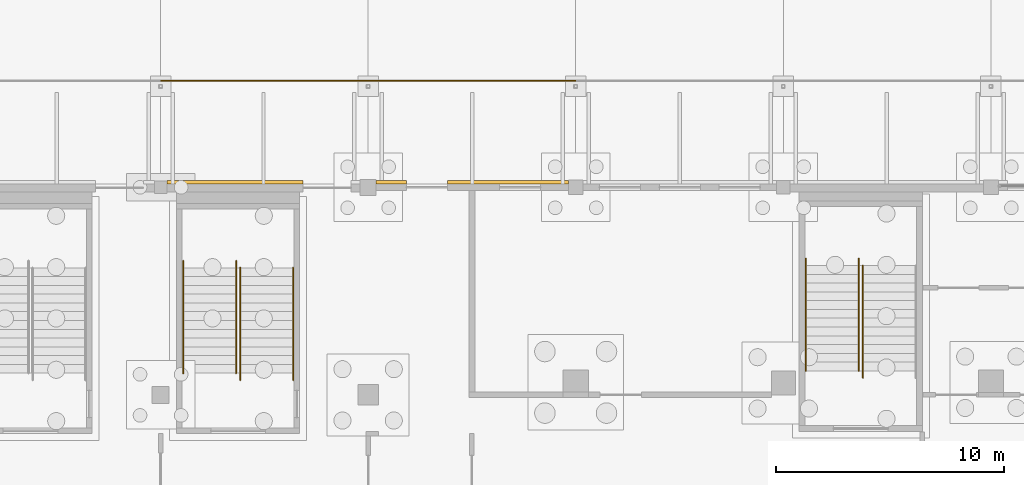
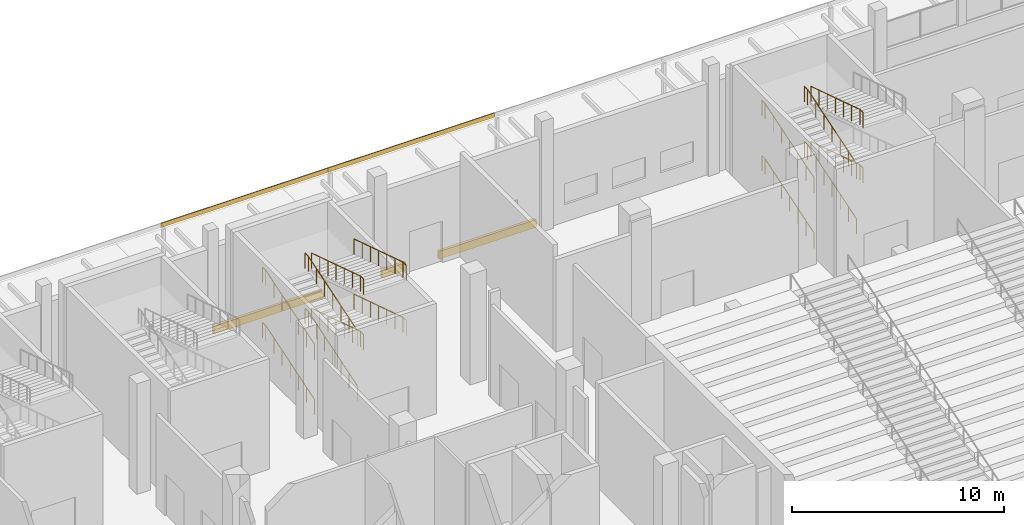
# One storey, part 112 of 129: 14 railings, 5 coverings.
"""IFC4 building model written with IfcOpenShell, lengths in metres."""

from ifc_helpers import new_model, si_unit, direction, frame, origin, origin_2d, place, context, subcontext, project, spatial, rectangle, circle, extrude, material, layer, layer_set, type_object, element, save


model = new_model("IFC4")

# Units and contexts
model_context = context("Model", 3, precision=1e-05, world=origin(), true_north=direction((0.0, 1.0)))
body_context = subcontext(model_context, "Body", "Model", "MODEL_VIEW")
ifc_project = project(units=[si_unit("LENGTHUNIT", "METRE"), si_unit("AREAUNIT", "SQUARE_METRE"), si_unit("VOLUMEUNIT", "CUBIC_METRE"), si_unit("PLANEANGLEUNIT", "RADIAN"), si_unit("MASSUNIT", "GRAM", prefix="KILO")], contexts=[model_context])

# Site, building, storey
site_placement = place(None, origin())
site = spatial("IfcSite", under=ifc_project, at=site_placement, CompositionType="ELEMENT")
building_placement = place(site_placement, origin())
building = spatial("IfcBuilding", under=site, at=building_placement, Name="Shirokan Park Arena", CompositionType="ELEMENT")
storey_placement = place(building_placement, origin())
storey = spatial("IfcBuildingStorey", under=building, at=storey_placement, Name="L00", CompositionType="ELEMENT", Elevation=0.0)

# Coverings
ifc_material_1 = material(Name="Timber fascia (cedar)", Category="wood")
ifc_layer_1 = layer(ifc_material_1, 0.050048828125)
ifc_layer_set_1 = layer_set([ifc_layer_1], Name="Timber fascia (cedar) 50 mm")
covering_type_1 = type_object("IfcCoveringType", Name="Canopy fascia 50x250", PredefinedType="CLADDING", material=ifc_layer_set_1)
for number, where, z_axis, x_axis, name in (
    (1, (40.949951171875, 113.875, 3.5), (0.0, 0.0, 1.0), (-1.0, 0.0, 0.0), "Canopy fascia north bay 12"),
    (2, (31.85009765625, 113.875, 3.5), (0.0, 0.0, 1.0), (-1.0, 0.0, 0.0), "Canopy fascia north bay 13"),
):
    element("IfcCovering", number, at=place(storey_placement, frame(where, z_axis=z_axis, x_axis=x_axis)), inside=storey, type_object=covering_type_1, Name=name, PredefinedType="CLADDING", context=body_context, shape_type="SweptSolid", body=[
        extrude(rectangle(XDim=9.10009765625, YDim=0.050048828125, at=origin_2d()), origin(), (0.0, 0.0, 1.0), 0.25),
    ])

# Railings
ifc_material_2 = material(Name="Stainless steel", Category="steel")
railing_type = type_object("IfcRailingType", Name="Stair handrail 900", PredefinedType="HANDRAIL", material=ifc_material_2)
railing_1_placement = place(storey_placement, frame((28.2900390625, 101.050048828125, 0.12255859375)))
element("IfcRailing", 3, at=railing_1_placement, inside=storey, type_object=railing_type, Name="Handrail Exit Stair 4.D L00 to L01", PredefinedType="HANDRAIL", context=body_context, shape_type="SweptSolid", body=[
    extrude(circle(Radius=0.02392578125, at=origin_2d()), frame((0.0, 0.0, 0.8759765625), z_axis=(0.0, 0.952929747917, 0.303191186441), x_axis=(-1.0, 0.0, 0.0)), (0.0, 0.0, 1.0), 1.6162109375),
    extrude(circle(Radius=0.02392578125, at=origin_2d()), frame((0.0, 1.5400390625, 1.36572265625), z_axis=(0.0, 0.952915858112, 0.303234838629), x_axis=(-1.0, 0.0, 0.0)), (0.0, 0.0, 1.0), 1.615966796875),
    extrude(circle(Radius=0.02392578125, at=origin_2d()), frame((0.0, 3.079833984375, 1.85595703125), z_axis=(0.0, 0.952929747917, 0.303191186441), x_axis=(-1.0, 0.0, 0.0)), (0.0, 0.0, 1.0), 1.6162109375),
    extrude(circle(Radius=0.02392578125, at=origin_2d()), frame((0.0, 4.619873046875, 2.345703125), z_axis=(0.0, 1.0, 0.0), x_axis=(-1.0, 0.0, 0.0)), (0.0, 0.0, 1.0), 0.300048828125),
    extrude(circle(Radius=0.02099609375, at=origin_2d()), origin(), (0.0, 0.0, 1.0), 0.851806640625),
    extrude(circle(Radius=0.02099609375, at=origin_2d()), frame((0.0, 0.77001953125, 0.2451171875)), (0.0, 0.0, 1.0), 0.851806640625),
    extrude(circle(Radius=0.02099609375, at=origin_2d()), frame((0.0, 1.5400390625, 0.489990234375)), (0.0, 0.0, 1.0), 0.851806640625),
    extrude(circle(Radius=0.02099609375, at=origin_2d()), frame((0.0, 2.31005859375, 0.73486328125)), (0.0, 0.0, 1.0), 0.851806640625),
    extrude(circle(Radius=0.02099609375, at=origin_2d()), frame((0.0, 3.079833984375, 0.97998046875)), (0.0, 0.0, 1.0), 0.851806640625),
    extrude(circle(Radius=0.02099609375, at=origin_2d()), frame((0.0, 3.849853515625, 1.22509765625)), (0.0, 0.0, 1.0), 0.851806640625),
    extrude(circle(Radius=0.02099609375, at=origin_2d()), frame((0.0, 4.619873046875, 1.469970703125)), (0.0, 0.0, 1.0), 0.851806640625),
    extrude(circle(Radius=0.02099609375, at=origin_2d()), frame((0.0, 4.919921875, 1.469970703125)), (0.0, 0.0, 1.0), 0.851806640625),
])
railing_2_placement = place(storey_placement, frame((30.610107421875, 101.050048828125, 0.12255859375)))
element("IfcRailing", 4, at=railing_2_placement, inside=storey, type_object=railing_type, Name="Handrail Exit Stair 4.D L00 to L01", PredefinedType="HANDRAIL", context=body_context, shape_type="SweptSolid", body=[
    extrude(circle(Radius=0.02392578125, at=origin_2d()), frame((0.0, 0.0, 0.8759765625), z_axis=(0.0, 0.952929747917, 0.303191186441), x_axis=(-1.0, 0.0, 0.0)), (0.0, 0.0, 1.0), 1.6162109375),
    extrude(circle(Radius=0.02392578125, at=origin_2d()), frame((0.0, 1.5400390625, 1.36572265625), z_axis=(0.0, 0.952915858112, 0.303234838629), x_axis=(-1.0, 0.0, 0.0)), (0.0, 0.0, 1.0), 1.615966796875),
    extrude(circle(Radius=0.02392578125, at=origin_2d()), frame((0.0, 3.079833984375, 1.85595703125), z_axis=(0.0, 0.952929747917, 0.303191186441), x_axis=(-1.0, 0.0, 0.0)), (0.0, 0.0, 1.0), 1.6162109375),
    extrude(circle(Radius=0.02392578125, at=origin_2d()), frame((0.0, 4.619873046875, 2.345703125), z_axis=(0.0, 1.0, 0.0), x_axis=(-1.0, 0.0, 0.0)), (0.0, 0.0, 1.0), 0.300048828125),
    extrude(circle(Radius=0.02099609375, at=origin_2d()), origin(), (0.0, 0.0, 1.0), 0.851806640625),
    extrude(circle(Radius=0.02099609375, at=origin_2d()), frame((0.0, 0.77001953125, 0.2451171875)), (0.0, 0.0, 1.0), 0.851806640625),
    extrude(circle(Radius=0.02099609375, at=origin_2d()), frame((0.0, 1.5400390625, 0.489990234375)), (0.0, 0.0, 1.0), 0.851806640625),
    extrude(circle(Radius=0.02099609375, at=origin_2d()), frame((0.0, 2.31005859375, 0.73486328125)), (0.0, 0.0, 1.0), 0.851806640625),
    extrude(circle(Radius=0.02099609375, at=origin_2d()), frame((0.0, 3.079833984375, 0.97998046875)), (0.0, 0.0, 1.0), 0.851806640625),
    extrude(circle(Radius=0.02099609375, at=origin_2d()), frame((0.0, 3.849853515625, 1.22509765625)), (0.0, 0.0, 1.0), 0.851806640625),
    extrude(circle(Radius=0.02099609375, at=origin_2d()), frame((0.0, 4.619873046875, 1.469970703125)), (0.0, 0.0, 1.0), 0.851806640625),
    extrude(circle(Radius=0.02099609375, at=origin_2d()), frame((0.0, 4.919921875, 1.469970703125)), (0.0, 0.0, 1.0), 0.851806640625),
])
railing_3_placement = place(storey_placement, frame((30.7900390625, 105.669921875, 1.715087890625)))
element("IfcRailing", 5, at=railing_3_placement, inside=storey, type_object=railing_type, Name="Handrail Exit Stair 4.D L00 to L01", PredefinedType="HANDRAIL", context=body_context, shape_type="SweptSolid", body=[
    extrude(circle(Radius=0.02392578125, at=origin_2d()), frame((0.0, 0.0, 0.8759765625), z_axis=(0.0, -0.952929747917, 0.303191186441), x_axis=(1.0, 0.0, 0.0)), (0.0, 0.0, 1.0), 1.6162109375),
    extrude(circle(Radius=0.02392578125, at=origin_2d()), frame((0.0, -1.5400390625, 1.36572265625), z_axis=(0.0, -0.952915858112, 0.303234838629), x_axis=(1.0, 0.0, 0.0)), (0.0, 0.0, 1.0), 1.615966796875),
    extrude(circle(Radius=0.02392578125, at=origin_2d()), frame((0.0, -3.079833984375, 1.85595703125), z_axis=(0.0, -0.952929747917, 0.303191186441), x_axis=(1.0, 0.0, 0.0)), (0.0, 0.0, 1.0), 1.6162109375),
    extrude(circle(Radius=0.02392578125, at=origin_2d()), frame((0.0, -4.619873046875, 2.345703125), z_axis=(0.0, -1.0, 0.0), x_axis=(1.0, 0.0, 0.0)), (0.0, 0.0, 1.0), 0.300048828125),
    extrude(circle(Radius=0.02099609375, at=origin_2d()), origin(), (0.0, 0.0, 1.0), 0.851806640625),
    extrude(circle(Radius=0.02099609375, at=origin_2d()), frame((0.0, -0.77001953125, 0.2451171875)), (0.0, 0.0, 1.0), 0.851806640625),
    extrude(circle(Radius=0.02099609375, at=origin_2d()), frame((0.0, -1.5400390625, 0.489990234375)), (0.0, 0.0, 1.0), 0.851806640625),
    extrude(circle(Radius=0.02099609375, at=origin_2d()), frame((0.0, -2.31005859375, 0.73486328125)), (0.0, 0.0, 1.0), 0.851806640625),
    extrude(circle(Radius=0.02099609375, at=origin_2d()), frame((0.0, -3.079833984375, 0.97998046875)), (0.0, 0.0, 1.0), 0.851806640625),
    extrude(circle(Radius=0.02099609375, at=origin_2d()), frame((0.0, -3.849853515625, 1.22509765625)), (0.0, 0.0, 1.0), 0.851806640625),
    extrude(circle(Radius=0.02099609375, at=origin_2d()), frame((0.0, -4.619873046875, 1.469970703125)), (0.0, 0.0, 1.0), 0.851806640625),
    extrude(circle(Radius=0.02099609375, at=origin_2d()), frame((0.0, -4.919921875, 1.469970703125)), (0.0, 0.0, 1.0), 0.851806640625),
])
railing_4_placement = place(storey_placement, frame((33.110107421875, 105.669921875, 1.715087890625)))
element("IfcRailing", 6, at=railing_4_placement, inside=storey, type_object=railing_type, Name="Handrail Exit Stair 4.D L00 to L01", PredefinedType="HANDRAIL", context=body_context, shape_type="SweptSolid", body=[
    extrude(circle(Radius=0.02392578125, at=origin_2d()), frame((0.0, 0.0, 0.8759765625), z_axis=(0.0, -0.952929747917, 0.303191186441), x_axis=(1.0, 0.0, 0.0)), (0.0, 0.0, 1.0), 1.6162109375),
    extrude(circle(Radius=0.02392578125, at=origin_2d()), frame((0.0, -1.5400390625, 1.36572265625), z_axis=(0.0, -0.952915858112, 0.303234838629), x_axis=(1.0, 0.0, 0.0)), (0.0, 0.0, 1.0), 1.615966796875),
    extrude(circle(Radius=0.02392578125, at=origin_2d()), frame((0.0, -3.079833984375, 1.85595703125), z_axis=(0.0, -0.952929747917, 0.303191186441), x_axis=(1.0, 0.0, 0.0)), (0.0, 0.0, 1.0), 1.6162109375),
    extrude(circle(Radius=0.02392578125, at=origin_2d()), frame((0.0, -4.619873046875, 2.345703125), z_axis=(0.0, -1.0, 0.0), x_axis=(1.0, 0.0, 0.0)), (0.0, 0.0, 1.0), 0.300048828125),
    extrude(circle(Radius=0.02099609375, at=origin_2d()), origin(), (0.0, 0.0, 1.0), 0.851806640625),
    extrude(circle(Radius=0.02099609375, at=origin_2d()), frame((0.0, -0.77001953125, 0.2451171875)), (0.0, 0.0, 1.0), 0.851806640625),
    extrude(circle(Radius=0.02099609375, at=origin_2d()), frame((0.0, -1.5400390625, 0.489990234375)), (0.0, 0.0, 1.0), 0.851806640625),
    extrude(circle(Radius=0.02099609375, at=origin_2d()), frame((0.0, -2.31005859375, 0.73486328125)), (0.0, 0.0, 1.0), 0.851806640625),
    extrude(circle(Radius=0.02099609375, at=origin_2d()), frame((0.0, -3.079833984375, 0.97998046875)), (0.0, 0.0, 1.0), 0.851806640625),
    extrude(circle(Radius=0.02099609375, at=origin_2d()), frame((0.0, -3.849853515625, 1.22509765625)), (0.0, 0.0, 1.0), 0.851806640625),
    extrude(circle(Radius=0.02099609375, at=origin_2d()), frame((0.0, -4.619873046875, 1.469970703125)), (0.0, 0.0, 1.0), 0.851806640625),
    extrude(circle(Radius=0.02099609375, at=origin_2d()), frame((0.0, -4.919921875, 1.469970703125)), (0.0, 0.0, 1.0), 0.851806640625),
])
railing_5_placement = place(storey_placement, frame((28.2900390625, 101.050048828125, 3.3076171875)))
element("IfcRailing", 7, at=railing_5_placement, inside=storey, type_object=railing_type, Name="Handrail Exit Stair 4.D L00 to L01", PredefinedType="HANDRAIL", context=body_context, shape_type="SweptSolid", body=[
    extrude(circle(Radius=0.02392578125, at=origin_2d()), frame((0.0, 0.0, 0.8759765625), z_axis=(0.0, 0.952929747917, 0.303191186441), x_axis=(-1.0, 0.0, 0.0)), (0.0, 0.0, 1.0), 1.6162109375),
    extrude(circle(Radius=0.02392578125, at=origin_2d()), frame((0.0, 1.5400390625, 1.36572265625), z_axis=(0.0, 0.952915858112, 0.303234838629), x_axis=(-1.0, 0.0, 0.0)), (0.0, 0.0, 1.0), 1.615966796875),
    extrude(circle(Radius=0.02392578125, at=origin_2d()), frame((0.0, 3.079833984375, 1.85595703125), z_axis=(0.0, 0.952929747917, 0.303191186441), x_axis=(-1.0, 0.0, 0.0)), (0.0, 0.0, 1.0), 1.6162109375),
    extrude(circle(Radius=0.02392578125, at=origin_2d()), frame((0.0, 4.619873046875, 2.345703125), z_axis=(0.0, 1.0, 0.0), x_axis=(-1.0, 0.0, 0.0)), (0.0, 0.0, 1.0), 0.300048828125),
    extrude(circle(Radius=0.02099609375, at=origin_2d()), origin(), (0.0, 0.0, 1.0), 0.851806640625),
    extrude(circle(Radius=0.02099609375, at=origin_2d()), frame((0.0, 0.77001953125, 0.2451171875)), (0.0, 0.0, 1.0), 0.851806640625),
    extrude(circle(Radius=0.02099609375, at=origin_2d()), frame((0.0, 1.5400390625, 0.489990234375)), (0.0, 0.0, 1.0), 0.851806640625),
    extrude(circle(Radius=0.02099609375, at=origin_2d()), frame((0.0, 2.31005859375, 0.73486328125)), (0.0, 0.0, 1.0), 0.851806640625),
    extrude(circle(Radius=0.02099609375, at=origin_2d()), frame((0.0, 3.079833984375, 0.97998046875)), (0.0, 0.0, 1.0), 0.851806640625),
    extrude(circle(Radius=0.02099609375, at=origin_2d()), frame((0.0, 3.849853515625, 1.22509765625)), (0.0, 0.0, 1.0), 0.851806640625),
    extrude(circle(Radius=0.02099609375, at=origin_2d()), frame((0.0, 4.619873046875, 1.469970703125)), (0.0, 0.0, 1.0), 0.851806640625),
    extrude(circle(Radius=0.02099609375, at=origin_2d()), frame((0.0, 4.919921875, 1.469970703125)), (0.0, 0.0, 1.0), 0.851806640625),
])
railing_6_placement = place(storey_placement, frame((30.610107421875, 101.050048828125, 3.3076171875)))
element("IfcRailing", 8, at=railing_6_placement, inside=storey, type_object=railing_type, Name="Handrail Exit Stair 4.D L00 to L01", PredefinedType="HANDRAIL", context=body_context, shape_type="SweptSolid", body=[
    extrude(circle(Radius=0.02392578125, at=origin_2d()), frame((0.0, 0.0, 0.8759765625), z_axis=(0.0, 0.952929747917, 0.303191186441), x_axis=(-1.0, 0.0, 0.0)), (0.0, 0.0, 1.0), 1.6162109375),
    extrude(circle(Radius=0.02392578125, at=origin_2d()), frame((0.0, 1.5400390625, 1.36572265625), z_axis=(0.0, 0.952915858112, 0.303234838629), x_axis=(-1.0, 0.0, 0.0)), (0.0, 0.0, 1.0), 1.615966796875),
    extrude(circle(Radius=0.02392578125, at=origin_2d()), frame((0.0, 3.079833984375, 1.85595703125), z_axis=(0.0, 0.952929747917, 0.303191186441), x_axis=(-1.0, 0.0, 0.0)), (0.0, 0.0, 1.0), 1.6162109375),
    extrude(circle(Radius=0.02392578125, at=origin_2d()), frame((0.0, 4.619873046875, 2.345703125), z_axis=(0.0, 1.0, 0.0), x_axis=(-1.0, 0.0, 0.0)), (0.0, 0.0, 1.0), 0.300048828125),
    extrude(circle(Radius=0.02099609375, at=origin_2d()), origin(), (0.0, 0.0, 1.0), 0.851806640625),
    extrude(circle(Radius=0.02099609375, at=origin_2d()), frame((0.0, 0.77001953125, 0.2451171875)), (0.0, 0.0, 1.0), 0.851806640625),
    extrude(circle(Radius=0.02099609375, at=origin_2d()), frame((0.0, 1.5400390625, 0.489990234375)), (0.0, 0.0, 1.0), 0.851806640625),
    extrude(circle(Radius=0.02099609375, at=origin_2d()), frame((0.0, 2.31005859375, 0.73486328125)), (0.0, 0.0, 1.0), 0.851806640625),
    extrude(circle(Radius=0.02099609375, at=origin_2d()), frame((0.0, 3.079833984375, 0.97998046875)), (0.0, 0.0, 1.0), 0.851806640625),
    extrude(circle(Radius=0.02099609375, at=origin_2d()), frame((0.0, 3.849853515625, 1.22509765625)), (0.0, 0.0, 1.0), 0.851806640625),
    extrude(circle(Radius=0.02099609375, at=origin_2d()), frame((0.0, 4.619873046875, 1.469970703125)), (0.0, 0.0, 1.0), 0.851806640625),
    extrude(circle(Radius=0.02099609375, at=origin_2d()), frame((0.0, 4.919921875, 1.469970703125)), (0.0, 0.0, 1.0), 0.851806640625),
])
railing_7_placement = place(storey_placement, frame((30.7900390625, 105.669921875, 4.89990234375)))
element("IfcRailing", 9, at=railing_7_placement, inside=storey, type_object=railing_type, Name="Handrail Exit Stair 4.D L00 to L01", PredefinedType="HANDRAIL", context=body_context, shape_type="SweptSolid", body=[
    extrude(circle(Radius=0.02392578125, at=origin_2d()), frame((0.0, 0.0, 0.8759765625), z_axis=(0.0, -0.952929747917, 0.303191186441), x_axis=(1.0, 0.0, 0.0)), (0.0, 0.0, 1.0), 1.6162109375),
    extrude(circle(Radius=0.02392578125, at=origin_2d()), frame((0.0, -1.5400390625, 1.36572265625), z_axis=(0.0, -0.952915858112, 0.303234838629), x_axis=(1.0, 0.0, 0.0)), (0.0, 0.0, 1.0), 1.615966796875),
    extrude(circle(Radius=0.02392578125, at=origin_2d()), frame((0.0, -3.079833984375, 1.85595703125), z_axis=(0.0, -0.952886093821, 0.303328357069), x_axis=(1.0, 0.0, 0.0)), (0.0, 0.0, 1.0), 1.6162109375),
    extrude(circle(Radius=0.02392578125, at=origin_2d()), frame((0.0, -4.619873046875, 2.34619140625), z_axis=(0.0, -1.0, 0.0), x_axis=(1.0, 0.0, 0.0)), (0.0, 0.0, 1.0), 0.300048828125),
    extrude(circle(Radius=0.02099609375, at=origin_2d()), origin(), (0.0, 0.0, 1.0), 0.851806640625),
    extrude(circle(Radius=0.02099609375, at=origin_2d()), frame((0.0, -0.77001953125, 0.2451171875)), (0.0, 0.0, 1.0), 0.851806640625),
    extrude(circle(Radius=0.02099609375, at=origin_2d()), frame((0.0, -1.5400390625, 0.489990234375)), (0.0, 0.0, 1.0), 0.851806640625),
    extrude(circle(Radius=0.02099609375, at=origin_2d()), frame((0.0, -2.31005859375, 0.73486328125)), (0.0, 0.0, 1.0), 0.851806640625),
    extrude(circle(Radius=0.02099609375, at=origin_2d()), frame((0.0, -3.079833984375, 0.97998046875)), (0.0, 0.0, 1.0), 0.851806640625),
    extrude(circle(Radius=0.02099609375, at=origin_2d()), frame((0.0, -3.849853515625, 1.22509765625)), (0.0, 0.0, 1.0), 0.851806640625),
    extrude(circle(Radius=0.02099609375, at=origin_2d()), frame((0.0, -4.619873046875, 1.47021484375)), (0.0, 0.0, 1.0), 0.851806640625),
    extrude(circle(Radius=0.02099609375, at=origin_2d()), frame((0.0, -4.919921875, 1.47021484375)), (0.0, 0.0, 1.0), 0.851806640625),
])
railing_8_placement = place(storey_placement, frame((33.110107421875, 105.669921875, 4.89990234375)))
element("IfcRailing", 10, at=railing_8_placement, inside=storey, type_object=railing_type, Name="Handrail Exit Stair 4.D L00 to L01", PredefinedType="HANDRAIL", context=body_context, shape_type="SweptSolid", body=[
    extrude(circle(Radius=0.02392578125, at=origin_2d()), frame((0.0, 0.0, 0.8759765625), z_axis=(0.0, -0.952929747917, 0.303191186441), x_axis=(1.0, 0.0, 0.0)), (0.0, 0.0, 1.0), 1.6162109375),
    extrude(circle(Radius=0.02392578125, at=origin_2d()), frame((0.0, -1.5400390625, 1.36572265625), z_axis=(0.0, -0.952915858112, 0.303234838629), x_axis=(1.0, 0.0, 0.0)), (0.0, 0.0, 1.0), 1.615966796875),
    extrude(circle(Radius=0.02392578125, at=origin_2d()), frame((0.0, -3.079833984375, 1.85595703125), z_axis=(0.0, -0.952886093821, 0.303328357069), x_axis=(1.0, 0.0, 0.0)), (0.0, 0.0, 1.0), 1.6162109375),
    extrude(circle(Radius=0.02392578125, at=origin_2d()), frame((0.0, -4.619873046875, 2.34619140625), z_axis=(0.0, -1.0, 0.0), x_axis=(1.0, 0.0, 0.0)), (0.0, 0.0, 1.0), 0.300048828125),
    extrude(circle(Radius=0.02099609375, at=origin_2d()), origin(), (0.0, 0.0, 1.0), 0.851806640625),
    extrude(circle(Radius=0.02099609375, at=origin_2d()), frame((0.0, -0.77001953125, 0.2451171875)), (0.0, 0.0, 1.0), 0.851806640625),
    extrude(circle(Radius=0.02099609375, at=origin_2d()), frame((0.0, -1.5400390625, 0.489990234375)), (0.0, 0.0, 1.0), 0.851806640625),
    extrude(circle(Radius=0.02099609375, at=origin_2d()), frame((0.0, -2.31005859375, 0.73486328125)), (0.0, 0.0, 1.0), 0.851806640625),
    extrude(circle(Radius=0.02099609375, at=origin_2d()), frame((0.0, -3.079833984375, 0.97998046875)), (0.0, 0.0, 1.0), 0.851806640625),
    extrude(circle(Radius=0.02099609375, at=origin_2d()), frame((0.0, -3.849853515625, 1.22509765625)), (0.0, 0.0, 1.0), 0.851806640625),
    extrude(circle(Radius=0.02099609375, at=origin_2d()), frame((0.0, -4.619873046875, 1.47021484375)), (0.0, 0.0, 1.0), 0.851806640625),
    extrude(circle(Radius=0.02099609375, at=origin_2d()), frame((0.0, -4.919921875, 1.47021484375)), (0.0, 0.0, 1.0), 0.851806640625),
])
railing_9_placement = place(storey_placement, frame((55.590087890625, 101.14990234375, 0.12255859375)))
element("IfcRailing", 11, at=railing_9_placement, inside=storey, type_object=railing_type, Name="Handrail Entrance Stair E4.1 L00 to L01", PredefinedType="HANDRAIL", context=body_context, shape_type="SweptSolid", body=[
    extrude(circle(Radius=0.02392578125, at=origin_2d()), frame((0.0, 0.0, 0.8759765625), z_axis=(0.0, 0.952929747917, 0.303191186441), x_axis=(-1.0, 0.0, 0.0)), (0.0, 0.0, 1.0), 1.6162109375),
    extrude(circle(Radius=0.02392578125, at=origin_2d()), frame((0.0, 1.5400390625, 1.36572265625), z_axis=(0.0, 0.952929747917, 0.303191186441), x_axis=(-1.0, 0.0, 0.0)), (0.0, 0.0, 1.0), 1.6162109375),
    extrude(circle(Radius=0.02392578125, at=origin_2d()), frame((0.0, 3.080078125, 1.85595703125), z_axis=(0.0, 0.952929747917, 0.303191186441), x_axis=(-1.0, 0.0, 0.0)), (0.0, 0.0, 1.0), 1.6162109375),
    extrude(circle(Radius=0.02392578125, at=origin_2d()), frame((0.0, 4.6201171875, 2.345703125), z_axis=(0.0, 1.0, 0.0), x_axis=(-1.0, 0.0, 0.0)), (0.0, 0.0, 1.0), 0.300048828125),
    extrude(circle(Radius=0.02099609375, at=origin_2d()), origin(), (0.0, 0.0, 1.0), 0.851806640625),
    extrude(circle(Radius=0.02099609375, at=origin_2d()), frame((0.0, 0.77001953125, 0.2451171875)), (0.0, 0.0, 1.0), 0.851806640625),
    extrude(circle(Radius=0.02099609375, at=origin_2d()), frame((0.0, 1.5400390625, 0.489990234375)), (0.0, 0.0, 1.0), 0.851806640625),
    extrude(circle(Radius=0.02099609375, at=origin_2d()), frame((0.0, 2.31005859375, 0.73486328125)), (0.0, 0.0, 1.0), 0.851806640625),
    extrude(circle(Radius=0.02099609375, at=origin_2d()), frame((0.0, 3.080078125, 0.97998046875)), (0.0, 0.0, 1.0), 0.851806640625),
    extrude(circle(Radius=0.02099609375, at=origin_2d()), frame((0.0, 3.85009765625, 1.22509765625)), (0.0, 0.0, 1.0), 0.851806640625),
    extrude(circle(Radius=0.02099609375, at=origin_2d()), frame((0.0, 4.6201171875, 1.469970703125)), (0.0, 0.0, 1.0), 0.851806640625),
    extrude(circle(Radius=0.02099609375, at=origin_2d()), frame((0.0, 4.920166015625, 1.469970703125)), (0.0, 0.0, 1.0), 0.851806640625),
])
railing_10_placement = place(storey_placement, frame((57.909912109375, 101.14990234375, 0.12255859375)))
element("IfcRailing", 12, at=railing_10_placement, inside=storey, type_object=railing_type, Name="Handrail Entrance Stair E4.1 L00 to L01", PredefinedType="HANDRAIL", context=body_context, shape_type="SweptSolid", body=[
    extrude(circle(Radius=0.02392578125, at=origin_2d()), frame((0.0, 0.0, 0.8759765625), z_axis=(0.0, 0.952929747917, 0.303191186441), x_axis=(-1.0, 0.0, 0.0)), (0.0, 0.0, 1.0), 1.6162109375),
    extrude(circle(Radius=0.02392578125, at=origin_2d()), frame((0.0, 1.5400390625, 1.36572265625), z_axis=(0.0, 0.952929747917, 0.303191186441), x_axis=(-1.0, 0.0, 0.0)), (0.0, 0.0, 1.0), 1.6162109375),
    extrude(circle(Radius=0.02392578125, at=origin_2d()), frame((0.0, 3.080078125, 1.85595703125), z_axis=(0.0, 0.952929747917, 0.303191186441), x_axis=(-1.0, 0.0, 0.0)), (0.0, 0.0, 1.0), 1.6162109375),
    extrude(circle(Radius=0.02392578125, at=origin_2d()), frame((0.0, 4.6201171875, 2.345703125), z_axis=(0.0, 1.0, 0.0), x_axis=(-1.0, 0.0, 0.0)), (0.0, 0.0, 1.0), 0.300048828125),
    extrude(circle(Radius=0.02099609375, at=origin_2d()), origin(), (0.0, 0.0, 1.0), 0.851806640625),
    extrude(circle(Radius=0.02099609375, at=origin_2d()), frame((0.0, 0.77001953125, 0.2451171875)), (0.0, 0.0, 1.0), 0.851806640625),
    extrude(circle(Radius=0.02099609375, at=origin_2d()), frame((0.0, 1.5400390625, 0.489990234375)), (0.0, 0.0, 1.0), 0.851806640625),
    extrude(circle(Radius=0.02099609375, at=origin_2d()), frame((0.0, 2.31005859375, 0.73486328125)), (0.0, 0.0, 1.0), 0.851806640625),
    extrude(circle(Radius=0.02099609375, at=origin_2d()), frame((0.0, 3.080078125, 0.97998046875)), (0.0, 0.0, 1.0), 0.851806640625),
    extrude(circle(Radius=0.02099609375, at=origin_2d()), frame((0.0, 3.85009765625, 1.22509765625)), (0.0, 0.0, 1.0), 0.851806640625),
    extrude(circle(Radius=0.02099609375, at=origin_2d()), frame((0.0, 4.6201171875, 1.469970703125)), (0.0, 0.0, 1.0), 0.851806640625),
    extrude(circle(Radius=0.02099609375, at=origin_2d()), frame((0.0, 4.920166015625, 1.469970703125)), (0.0, 0.0, 1.0), 0.851806640625),
])
railing_11_placement = place(storey_placement, frame((58.090087890625, 105.77001953125, 1.715087890625)))
element("IfcRailing", 13, at=railing_11_placement, inside=storey, type_object=railing_type, Name="Handrail Entrance Stair E4.1 L00 to L01", PredefinedType="HANDRAIL", context=body_context, shape_type="SweptSolid", body=[
    extrude(circle(Radius=0.02392578125, at=origin_2d()), frame((0.0, 0.0, 0.8759765625), z_axis=(0.0, -0.952929747917, 0.303191186441), x_axis=(1.0, 0.0, 0.0)), (0.0, 0.0, 1.0), 1.6162109375),
    extrude(circle(Radius=0.02392578125, at=origin_2d()), frame((0.0, -1.5400390625, 1.36572265625), z_axis=(0.0, -0.952929747917, 0.303191186441), x_axis=(1.0, 0.0, 0.0)), (0.0, 0.0, 1.0), 1.6162109375),
    extrude(circle(Radius=0.02392578125, at=origin_2d()), frame((0.0, -3.080078125, 1.85595703125), z_axis=(0.0, -0.952929747917, 0.303191186441), x_axis=(1.0, 0.0, 0.0)), (0.0, 0.0, 1.0), 1.6162109375),
    extrude(circle(Radius=0.02392578125, at=origin_2d()), frame((0.0, -4.6201171875, 2.345703125), z_axis=(0.0, -1.0, 0.0), x_axis=(1.0, 0.0, 0.0)), (0.0, 0.0, 1.0), 0.2998046875),
    extrude(circle(Radius=0.02099609375, at=origin_2d()), origin(), (0.0, 0.0, 1.0), 0.851806640625),
    extrude(circle(Radius=0.02099609375, at=origin_2d()), frame((0.0, -0.77001953125, 0.2451171875)), (0.0, 0.0, 1.0), 0.851806640625),
    extrude(circle(Radius=0.02099609375, at=origin_2d()), frame((0.0, -1.5400390625, 0.489990234375)), (0.0, 0.0, 1.0), 0.851806640625),
    extrude(circle(Radius=0.02099609375, at=origin_2d()), frame((0.0, -2.31005859375, 0.73486328125)), (0.0, 0.0, 1.0), 0.851806640625),
    extrude(circle(Radius=0.02099609375, at=origin_2d()), frame((0.0, -3.080078125, 0.97998046875)), (0.0, 0.0, 1.0), 0.851806640625),
    extrude(circle(Radius=0.02099609375, at=origin_2d()), frame((0.0, -3.85009765625, 1.22509765625)), (0.0, 0.0, 1.0), 0.851806640625),
    extrude(circle(Radius=0.02099609375, at=origin_2d()), frame((0.0, -4.6201171875, 1.469970703125)), (0.0, 0.0, 1.0), 0.851806640625),
    extrude(circle(Radius=0.02099609375, at=origin_2d()), frame((0.0, -4.919921875, 1.469970703125)), (0.0, 0.0, 1.0), 0.851806640625),
])
railing_12_placement = place(storey_placement, frame((55.590087890625, 101.14990234375, 3.3076171875)))
element("IfcRailing", 14, at=railing_12_placement, inside=storey, type_object=railing_type, Name="Handrail Entrance Stair E4.1 L00 to L01", PredefinedType="HANDRAIL", context=body_context, shape_type="SweptSolid", body=[
    extrude(circle(Radius=0.02392578125, at=origin_2d()), frame((0.0, 0.0, 0.8759765625), z_axis=(0.0, 0.952929747917, 0.303191186441), x_axis=(-1.0, 0.0, 0.0)), (0.0, 0.0, 1.0), 1.6162109375),
    extrude(circle(Radius=0.02392578125, at=origin_2d()), frame((0.0, 1.5400390625, 1.36572265625), z_axis=(0.0, 0.952929747917, 0.303191186441), x_axis=(-1.0, 0.0, 0.0)), (0.0, 0.0, 1.0), 1.6162109375),
    extrude(circle(Radius=0.02392578125, at=origin_2d()), frame((0.0, 3.080078125, 1.85595703125), z_axis=(0.0, 0.952929747917, 0.303191186441), x_axis=(-1.0, 0.0, 0.0)), (0.0, 0.0, 1.0), 1.6162109375),
    extrude(circle(Radius=0.02392578125, at=origin_2d()), frame((0.0, 4.6201171875, 2.345703125), z_axis=(0.0, 1.0, 0.0), x_axis=(-1.0, 0.0, 0.0)), (0.0, 0.0, 1.0), 0.300048828125),
    extrude(circle(Radius=0.02099609375, at=origin_2d()), origin(), (0.0, 0.0, 1.0), 0.851806640625),
    extrude(circle(Radius=0.02099609375, at=origin_2d()), frame((0.0, 0.77001953125, 0.2451171875)), (0.0, 0.0, 1.0), 0.851806640625),
    extrude(circle(Radius=0.02099609375, at=origin_2d()), frame((0.0, 1.5400390625, 0.489990234375)), (0.0, 0.0, 1.0), 0.851806640625),
    extrude(circle(Radius=0.02099609375, at=origin_2d()), frame((0.0, 2.31005859375, 0.73486328125)), (0.0, 0.0, 1.0), 0.851806640625),
    extrude(circle(Radius=0.02099609375, at=origin_2d()), frame((0.0, 3.080078125, 0.97998046875)), (0.0, 0.0, 1.0), 0.851806640625),
    extrude(circle(Radius=0.02099609375, at=origin_2d()), frame((0.0, 3.85009765625, 1.22509765625)), (0.0, 0.0, 1.0), 0.851806640625),
    extrude(circle(Radius=0.02099609375, at=origin_2d()), frame((0.0, 4.6201171875, 1.469970703125)), (0.0, 0.0, 1.0), 0.851806640625),
    extrude(circle(Radius=0.02099609375, at=origin_2d()), frame((0.0, 4.920166015625, 1.469970703125)), (0.0, 0.0, 1.0), 0.851806640625),
])
railing_13_placement = place(storey_placement, frame((57.909912109375, 101.14990234375, 3.3076171875)))
element("IfcRailing", 15, at=railing_13_placement, inside=storey, type_object=railing_type, Name="Handrail Entrance Stair E4.1 L00 to L01", PredefinedType="HANDRAIL", context=body_context, shape_type="SweptSolid", body=[
    extrude(circle(Radius=0.02392578125, at=origin_2d()), frame((0.0, 0.0, 0.8759765625), z_axis=(0.0, 0.952929747917, 0.303191186441), x_axis=(-1.0, 0.0, 0.0)), (0.0, 0.0, 1.0), 1.6162109375),
    extrude(circle(Radius=0.02392578125, at=origin_2d()), frame((0.0, 1.5400390625, 1.36572265625), z_axis=(0.0, 0.952929747917, 0.303191186441), x_axis=(-1.0, 0.0, 0.0)), (0.0, 0.0, 1.0), 1.6162109375),
    extrude(circle(Radius=0.02392578125, at=origin_2d()), frame((0.0, 3.080078125, 1.85595703125), z_axis=(0.0, 0.952929747917, 0.303191186441), x_axis=(-1.0, 0.0, 0.0)), (0.0, 0.0, 1.0), 1.6162109375),
    extrude(circle(Radius=0.02392578125, at=origin_2d()), frame((0.0, 4.6201171875, 2.345703125), z_axis=(0.0, 1.0, 0.0), x_axis=(-1.0, 0.0, 0.0)), (0.0, 0.0, 1.0), 0.300048828125),
    extrude(circle(Radius=0.02099609375, at=origin_2d()), origin(), (0.0, 0.0, 1.0), 0.851806640625),
    extrude(circle(Radius=0.02099609375, at=origin_2d()), frame((0.0, 0.77001953125, 0.2451171875)), (0.0, 0.0, 1.0), 0.851806640625),
    extrude(circle(Radius=0.02099609375, at=origin_2d()), frame((0.0, 1.5400390625, 0.489990234375)), (0.0, 0.0, 1.0), 0.851806640625),
    extrude(circle(Radius=0.02099609375, at=origin_2d()), frame((0.0, 2.31005859375, 0.73486328125)), (0.0, 0.0, 1.0), 0.851806640625),
    extrude(circle(Radius=0.02099609375, at=origin_2d()), frame((0.0, 3.080078125, 0.97998046875)), (0.0, 0.0, 1.0), 0.851806640625),
    extrude(circle(Radius=0.02099609375, at=origin_2d()), frame((0.0, 3.85009765625, 1.22509765625)), (0.0, 0.0, 1.0), 0.851806640625),
    extrude(circle(Radius=0.02099609375, at=origin_2d()), frame((0.0, 4.6201171875, 1.469970703125)), (0.0, 0.0, 1.0), 0.851806640625),
    extrude(circle(Radius=0.02099609375, at=origin_2d()), frame((0.0, 4.920166015625, 1.469970703125)), (0.0, 0.0, 1.0), 0.851806640625),
])
railing_14_placement = place(storey_placement, frame((58.090087890625, 105.77001953125, 4.89990234375)))
element("IfcRailing", 16, at=railing_14_placement, inside=storey, type_object=railing_type, Name="Handrail Entrance Stair E4.1 L00 to L01", PredefinedType="HANDRAIL", context=body_context, shape_type="SweptSolid", body=[
    extrude(circle(Radius=0.02392578125, at=origin_2d()), frame((0.0, 0.0, 0.8759765625), z_axis=(0.0, -0.952929747917, 0.303191186441), x_axis=(1.0, 0.0, 0.0)), (0.0, 0.0, 1.0), 1.6162109375),
    extrude(circle(Radius=0.02392578125, at=origin_2d()), frame((0.0, -1.5400390625, 1.36572265625), z_axis=(0.0, -0.952929747917, 0.303191186441), x_axis=(1.0, 0.0, 0.0)), (0.0, 0.0, 1.0), 1.6162109375),
    extrude(circle(Radius=0.02392578125, at=origin_2d()), frame((0.0, -3.080078125, 1.85595703125), z_axis=(0.0, -0.952886093821, 0.303328357069), x_axis=(1.0, 0.0, 0.0)), (0.0, 0.0, 1.0), 1.6162109375),
    extrude(circle(Radius=0.02392578125, at=origin_2d()), frame((0.0, -4.6201171875, 2.34619140625), z_axis=(0.0, -1.0, 0.0), x_axis=(1.0, 0.0, 0.0)), (0.0, 0.0, 1.0), 0.2998046875),
    extrude(circle(Radius=0.02099609375, at=origin_2d()), origin(), (0.0, 0.0, 1.0), 0.851806640625),
    extrude(circle(Radius=0.02099609375, at=origin_2d()), frame((0.0, -0.77001953125, 0.2451171875)), (0.0, 0.0, 1.0), 0.851806640625),
    extrude(circle(Radius=0.02099609375, at=origin_2d()), frame((0.0, -1.5400390625, 0.489990234375)), (0.0, 0.0, 1.0), 0.851806640625),
    extrude(circle(Radius=0.02099609375, at=origin_2d()), frame((0.0, -2.31005859375, 0.73486328125)), (0.0, 0.0, 1.0), 0.851806640625),
    extrude(circle(Radius=0.02099609375, at=origin_2d()), frame((0.0, -3.080078125, 0.97998046875)), (0.0, 0.0, 1.0), 0.851806640625),
    extrude(circle(Radius=0.02099609375, at=origin_2d()), frame((0.0, -3.85009765625, 1.22509765625)), (0.0, 0.0, 1.0), 0.851806640625),
    extrude(circle(Radius=0.02099609375, at=origin_2d()), frame((0.0, -4.6201171875, 1.47021484375)), (0.0, 0.0, 1.0), 0.851806640625),
    extrude(circle(Radius=0.02099609375, at=origin_2d()), frame((0.0, -4.919921875, 1.47021484375)), (0.0, 0.0, 1.0), 0.851806640625),
])

# Coverings
ifc_material_3 = material(Name="Natural stone", Category="masonry")
ifc_layer_2 = layer(ifc_material_3, 0.14990234375)
ifc_layer_set_2 = layer_set([ifc_layer_2], Name="Natural stone 150 mm")
covering_type_2 = type_object("IfcCoveringType", Name="Stone plinth 150x450", PredefinedType="CLADDING", material=ifc_layer_set_2)
covering_1_placement = place(storey_placement, frame((42.52490234375, 109.425048828125, 0.0), z_axis=(0.0, 0.0, 1.0), x_axis=(-1.0, 0.0, 0.0)))
element("IfcCovering", 17, at=covering_1_placement, inside=storey, type_object=covering_type_2, Name="Stone plinth north bay 12", PredefinedType="CLADDING", context=body_context, shape_type="SweptSolid", body=[
    extrude(rectangle(XDim=5.300048828125, YDim=0.14990234375, at=origin_2d()), origin(), (0.0, 0.0, 1.0), 0.449951171875),
])
covering_2_placement = place(storey_placement, frame((37.41259765625, 109.425048828125, 0.0), z_axis=(0.0, 0.0, 1.0), x_axis=(-1.0, 0.0, 0.0)))
element("IfcCovering", 18, at=covering_2_placement, inside=storey, type_object=covering_type_2, Name="Stone plinth north bay 12", PredefinedType="CLADDING", context=body_context, shape_type="SweptSolid", body=[
    extrude(rectangle(XDim=1.324951171875, YDim=0.14990234375, at=origin_2d()), origin(), (0.0, 0.0, 1.0), 0.449951171875),
])
covering_3_placement = place(storey_placement, frame((30.5625, 109.425048828125, 0.0), z_axis=(0.0, 0.0, 1.0), x_axis=(-1.0, 0.0, 0.0)))
element("IfcCovering", 19, at=covering_3_placement, inside=storey, type_object=covering_type_2, Name="Stone plinth north bay 13", PredefinedType="CLADDING", context=body_context, shape_type="SweptSolid", body=[
    extrude(rectangle(XDim=5.97509765625, YDim=0.14990234375, at=origin_2d()), origin(), (0.0, 0.0, 1.0), 0.449951171875),
])

save(model, "model.ifc")
